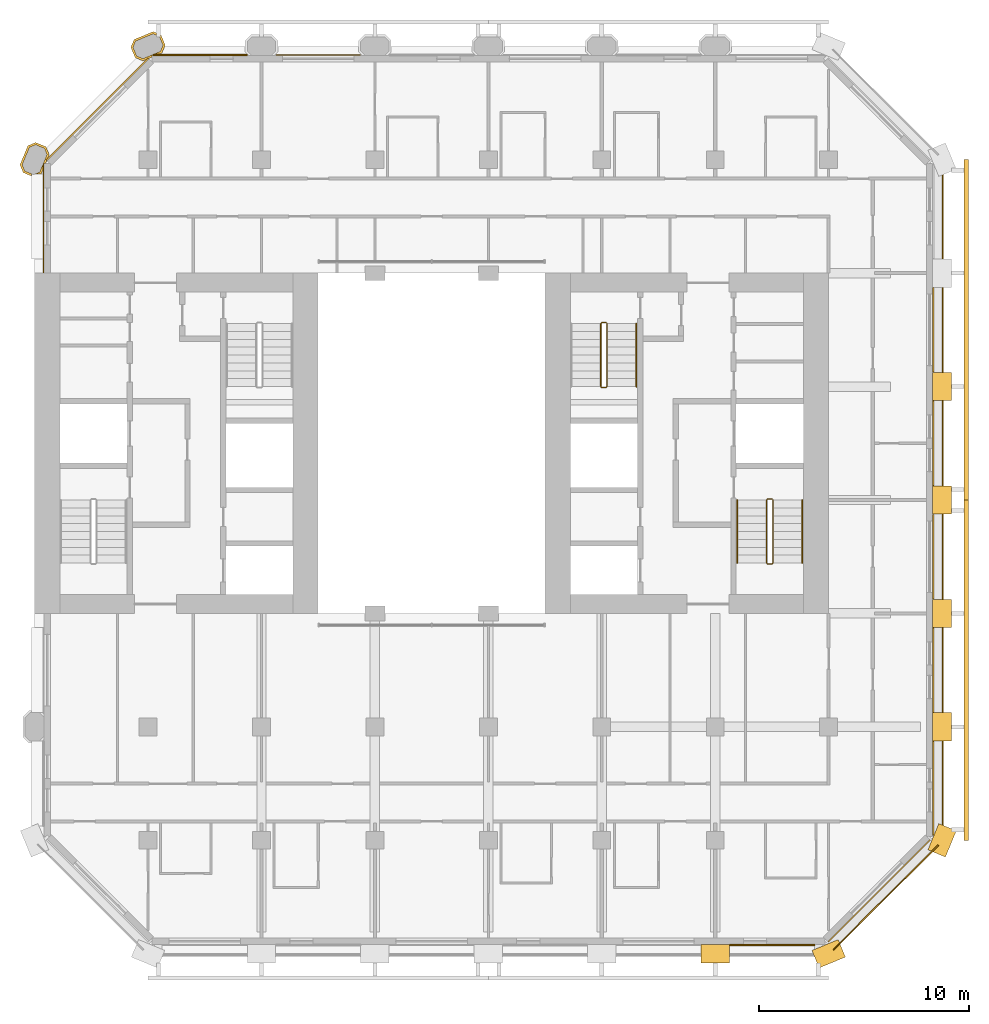
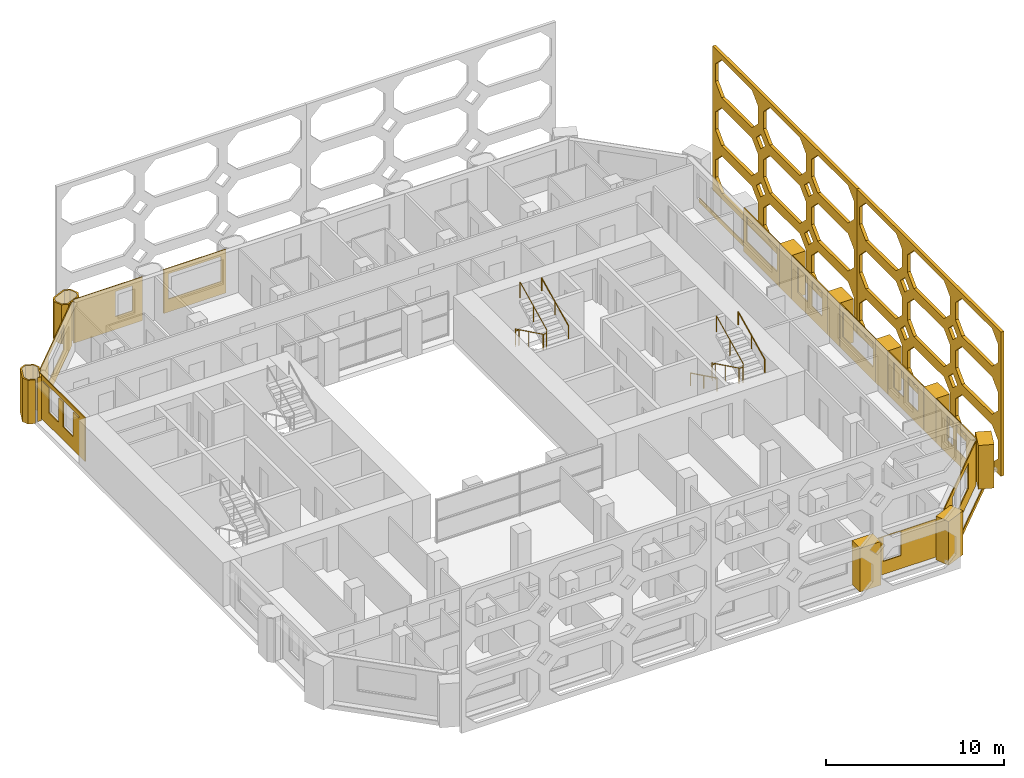
# One storey, part 13 of 14: 24 coverings, 5 railings.
"""IFC4 building model written with IfcOpenShell, lengths in metres."""

from ifc_helpers import new_model, si_unit, direction, frame, frame_2d, origin, origin_2d, place, context, subcontext, project, spatial, polyline, rectangle, circle, outline, extrude, material, layer, layer_set, type_object, element, save


model = new_model("IFC4")

# Units and contexts
model_context = context("Model", 3, precision=1e-05, world=origin(), true_north=direction((0.0, 1.0)))
body_context = subcontext(model_context, "Body", "Model", "MODEL_VIEW")
ifc_project = project(units=[si_unit("LENGTHUNIT", "METRE"), si_unit("AREAUNIT", "SQUARE_METRE"), si_unit("VOLUMEUNIT", "CUBIC_METRE"), si_unit("PLANEANGLEUNIT", "RADIAN"), si_unit("MASSUNIT", "GRAM", prefix="KILO")], contexts=[model_context])

# Site, building, storey
site_placement = place(None, origin())
site = spatial("IfcSite", under=ifc_project, at=site_placement, CompositionType="ELEMENT")
building_placement = place(site_placement, origin())
building = spatial("IfcBuilding", under=site, at=building_placement, Name="Tabaq Tower and Sports Hall", CompositionType="ELEMENT")
storey_placement = place(building_placement, frame((0.0, 0.0, 166.0)))
storey = spatial("IfcBuildingStorey", under=building, at=storey_placement, Name="L39", CompositionType="ELEMENT", Elevation=166.0)

# Coverings
ifc_material_1 = material(Name="Precast concrete C60/75", Category="concrete")
ifc_layer_1 = layer(ifc_material_1, 0.10009765625)
ifc_layer_set_1 = layer_set([ifc_layer_1], Name="Column cladding 100")
covering_type_1 = type_object("IfcCoveringType", Name="Column cladding 100", PredefinedType="CLADDING", material=ifc_layer_set_1)
covering_1_placement = place(storey_placement, origin())
element("IfcCovering", 1, at=covering_1_placement, inside=storey, type_object=covering_type_1, Name="Column cladding L39 PC-2H-H1", PredefinedType="CLADDING", context=body_context, shape_type="SweptSolid", body=[
    extrude(outline(polyline([(4.857421875, 37.186279296875), (4.7041015625, 37.556396484375), (5.080078125, 38.46435546875), (5.450439453125, 38.61767578125), (5.9423828125, 38.413818359375), (6.095947265625, 38.04345703125), (6.026123046875, 37.875), (5.9501953125, 37.799072265625), (5.9814453125, 37.767578125), (5.91796875, 37.614013671875), (5.849609375, 37.614013671875), (5.849609375, 37.55712890625), (5.789794921875, 37.55712890625), (5.789794921875, 37.304443359375), (5.7197265625, 37.1357421875), (5.694580078125, 37.125244140625), (5.434814453125, 37.125244140625), (5.643798828125, 37.2119140625), (5.98828125, 38.04345703125), (5.866455078125, 38.337646484375), (5.450439453125, 38.510009765625), (5.15625, 38.38818359375), (4.811767578125, 37.556396484375), (4.93359375, 37.26220703125), (5.26416015625, 37.125244140625), (5.249755859375, 37.125244140625), (5.249755859375, 37.023681640625), (4.857421875, 37.186279296875)])), origin(), (0.0, 0.0, 1.0), 3.0),
])
covering_2_placement = place(storey_placement, frame((0.0, 0.0, 0.300048828125)))
element("IfcCovering", 2, at=covering_2_placement, inside=storey, type_object=covering_type_1, Name="Column cladding L39 PC-3I-H1", PredefinedType="CLADDING", context=body_context, shape_type="SweptSolid", body=[
    extrude(outline(polyline([(9.982421875, 43.149658203125), (10.1357421875, 43.519775390625), (11.04345703125, 43.895751953125), (11.413818359375, 43.742431640625), (11.61767578125, 43.25048828125), (11.46435546875, 42.880126953125), (11.295654296875, 42.810302734375), (11.04296875, 42.810302734375), (11.04296875, 42.750244140625), (10.986083984375, 42.750244140625), (10.986083984375, 42.68212890625), (10.83251953125, 42.618408203125), (10.801025390625, 42.64990234375), (10.72509765625, 42.573974609375), (10.556396484375, 42.504150390625), (10.186279296875, 42.657470703125), (9.982421875, 43.149658203125)]), holes=[polyline([(11.510009765625, 43.25048828125), (11.337646484375, 43.66650390625), (11.04345703125, 43.788330078125), (10.2119140625, 43.44384765625), (10.08984375, 43.149658203125), (10.26220703125, 42.733642578125), (10.556396484375, 42.61181640625), (11.38818359375, 42.956298828125), (11.510009765625, 43.25048828125)])]), origin(), (0.0, 0.0, 1.0), 2.699951171875),
])
ifc_material_2 = material(Name="Precast concrete C60/75", Category="concrete")
ifc_layer_2 = layer(ifc_material_2, 0.06005859375)
ifc_layer_set_2 = layer_set([ifc_layer_2], Name="Edge beam cladding 60")
covering_type_2 = type_object("IfcCoveringType", Name="Edge beam cladding 60", PredefinedType="CLADDING", material=ifc_layer_set_2)
covering_3_placement = place(storey_placement, frame((43.432373046875, 0.18994140625, -0.300048828125), z_axis=(0.0, 0.0, 1.0), x_axis=(0.707106781187, 0.707106781187, 0.0)))
element("IfcCovering", 3, at=covering_3_placement, inside=storey, type_object=covering_type_2, Name="Edge beam cladding L39 2", PredefinedType="CLADDING", context=body_context, shape_type="SweptSolid", body=[
    extrude(rectangle(XDim=7.03955078125, YDim=0.06005859375, at=frame_2d((3.519775390625, 0.0))), origin(), (0.0, 0.0, 1.0), 0.300048828125),
])
covering_4_placement = place(storey_placement, frame((48.6298828125, 5.698486328125, -0.300048828125), z_axis=(0.0, 0.0, 1.0), x_axis=(0.0, 1.0, 0.0)))
element("IfcCovering", 4, at=covering_4_placement, inside=storey, type_object=covering_type_2, Name="Edge beam cladding L39 3", PredefinedType="CLADDING", context=body_context, shape_type="SweptSolid", body=[
    extrude(rectangle(XDim=31.802978515625, YDim=0.06005859375, at=frame_2d((15.9013671875, 0.0))), origin(), (0.0, 0.0, 1.0), 0.300048828125),
])
ifc_material_3 = material(Name="White precast concrete C60/75", Category="concrete")
covering_type_3 = type_object("IfcCoveringType", Name="Pier cladding hung 1350x900", PredefinedType="CLADDING", material=ifc_material_3)
for number, where, z_axis, x_axis, name in (
    (5, (37.125, 0.0, 0.0), (0.0, 0.0, 1.0), (1.0, 0.0, 0.0), "Hung pier cladding 7/0"),
    (6, (42.576416015625, -0.25830078125, 0.0), (0.0, 0.0, 1.0), (0.923893411637, 0.382649923473, 0.0), "Hung pier cladding 8/0"),
    (7, (48.341796875, 4.7763671875, 0.0), (0.0, 0.0, 1.0), (0.382649923473, 0.923893411637, 0.0), "Hung pier cladding 9/1"),
    (8, (48.60009765625, 10.125, 0.0), (0.0, 0.0, 1.0), (0.0, 1.0, 0.0), "Hung pier cladding 9/2"),
    (9, (48.60009765625, 15.52490234375, 0.0), (0.0, 0.0, 1.0), (0.0, 1.0, 0.0), "Hung pier cladding 9/3"),
):
    element("IfcCovering", number, at=place(storey_placement, frame(where, z_axis=z_axis, x_axis=x_axis)), inside=storey, type_object=covering_type_3, Name=name, PredefinedType="CLADDING", context=body_context, shape_type="SweptSolid", body=[
        extrude(rectangle(XDim=1.35009765625, YDim=0.89990234375, at=frame_2d((0.675048828125, 0.0))), origin(), (0.0, 0.0, 1.0), 3.0),
    ])
covering_5_placement = place(storey_placement, frame((48.60009765625, 20.925048828125, 0.0), z_axis=(0.0, 0.0, 1.0), x_axis=(0.0, 1.0, 0.0)))
element("IfcCovering", 10, at=covering_5_placement, inside=storey, type_object=covering_type_3, Name="Hung pier cladding 9/4", PredefinedType="CLADDING", context=body_context, shape_type="SweptSolid", body=[
    extrude(rectangle(XDim=1.349853515625, YDim=0.89990234375, at=frame_2d((0.6748046875, 0.0))), origin(), (0.0, 0.0, 1.0), 3.0),
])
covering_6_placement = place(storey_placement, frame((48.60009765625, 26.324951171875, 0.0), z_axis=(0.0, 0.0, 1.0), x_axis=(0.0, 1.0, 0.0)))
element("IfcCovering", 11, at=covering_6_placement, inside=storey, type_object=covering_type_3, Name="Hung pier cladding 9/5", PredefinedType="CLADDING", context=body_context, shape_type="SweptSolid", body=[
    extrude(rectangle(XDim=1.35009765625, YDim=0.89990234375, at=frame_2d((0.675048828125, 0.0))), origin(), (0.0, 0.0, 1.0), 3.0),
])

# Railings
ifc_material_4 = material(Name="Stainless steel", Category="steel")
railing_type_1 = type_object("IfcRailingType", Name="Stair guard", PredefinedType="GUARDRAIL", material=ifc_material_4)
railing_1_placement = place(storey_placement, frame((40.5, 21.64990234375, 0.0)))
element("IfcRailing", 12, at=railing_1_placement, inside=storey, type_object=railing_type_1, Name="L39 ST3 stair guard 1", PredefinedType="GUARDRAIL", context=body_context, shape_type="SweptSolid", body=[
    extrude(circle(Radius=0.02392578125, at=origin_2d()), frame((0.0, 0.0, 1.076171875), z_axis=(-1.0, 0.0, 0.0), x_axis=(0.0, -1.0, 0.0)), (0.0, 0.0, 1.0), 0.199951171875),
    extrude(circle(Radius=0.02392578125, at=origin_2d()), frame((-0.199951171875, 0.0, 1.076171875), z_axis=(-0.254733673405, -0.25349107012, 0.933195066962), x_axis=(0.705375805398, -0.708833529934, 0.0)), (0.0, 0.0, 1.0), 0.196533203125),
    extrude(circle(Radius=0.02392578125, at=origin_2d()), frame((-0.25, -0.0498046875, 1.25927734375), z_axis=(0.0, -0.898397823093, 0.439182594671), x_axis=(1.0, 0.0, 0.0)), (0.0, 0.0, 1.0), 3.33935546875),
    extrude(circle(Radius=0.02392578125, at=origin_2d()), frame((-0.25, -3.0498046875, 2.72607421875), z_axis=(0.707106781187, -0.707106781187, 0.0), x_axis=(0.707106781187, 0.707106781187, 0.0)), (0.0, 0.0, 1.0), 0.07080078125),
    extrude(circle(Radius=0.02392578125, at=origin_2d()), frame((-0.199951171875, -3.099853515625, 2.72607421875), z_axis=(1.0, 0.0, 0.0), x_axis=(0.0, 1.0, 0.0)), (0.0, 0.0, 1.0), 0.199951171875),
    extrude(circle(Radius=0.02392578125, at=origin_2d()), frame((0.0, -3.099853515625, 2.72607421875), z_axis=(0.254653276557, 0.254653276557, 0.932900539971), x_axis=(-0.707106781187, 0.707106781187, 0.0)), (0.0, 0.0, 1.0), 0.196533203125),
    extrude(circle(Radius=0.02392578125, at=origin_2d()), frame((0.050048828125, -3.0498046875, 2.9091796875), z_axis=(0.0, 0.898368975038, 0.439241601728), x_axis=(-1.0, 0.0, 0.0)), (0.0, 0.0, 1.0), 3.33935546875),
    extrude(circle(Radius=0.02099609375, at=origin_2d()), origin(), (0.0, 0.0, 1.0), 1.052001953125),
    extrude(circle(Radius=0.02099609375, at=origin_2d()), frame((-0.199951171875, 0.0, 0.0)), (0.0, 0.0, 1.0), 1.052001953125),
    extrude(circle(Radius=0.02099609375, at=origin_2d()), frame((-0.25, -0.0498046875, 0.183349609375)), (0.0, 0.0, 1.0), 1.052001953125),
    extrude(circle(Radius=0.02099609375, at=origin_2d()), frame((-0.25, -1.5498046875, 0.91650390625)), (0.0, 0.0, 1.0), 1.052001953125),
    extrude(circle(Radius=0.02099609375, at=origin_2d()), frame((-0.25, -3.0498046875, 1.64990234375)), (0.0, 0.0, 1.0), 1.052001953125),
    extrude(circle(Radius=0.02099609375, at=origin_2d()), frame((-0.199951171875, -3.099853515625, 1.64990234375)), (0.0, 0.0, 1.0), 1.052001953125),
    extrude(circle(Radius=0.02099609375, at=origin_2d()), frame((0.0, -3.099853515625, 1.64990234375)), (0.0, 0.0, 1.0), 1.052001953125),
    extrude(circle(Radius=0.02099609375, at=origin_2d()), frame((0.050048828125, -3.0498046875, 1.833251953125)), (0.0, 0.0, 1.0), 1.052001953125),
    extrude(circle(Radius=0.02099609375, at=origin_2d()), frame((0.050048828125, -1.5498046875, 2.566650390625)), (0.0, 0.0, 1.0), 1.052001953125),
    extrude(circle(Radius=0.02099609375, at=origin_2d()), frame((0.050048828125, -0.0498046875, 3.300048828125)), (0.0, 0.0, 1.0), 1.052001953125),
])
railing_2_placement = place(storey_placement, frame((32.60009765625, 30.050048828125, 0.0)))
element("IfcRailing", 13, at=railing_2_placement, inside=storey, type_object=railing_type_1, Name="L39 ST4 stair guard 1", PredefinedType="GUARDRAIL", context=body_context, shape_type="SweptSolid", body=[
    extrude(circle(Radius=0.02392578125, at=origin_2d()), frame((0.0, 0.0, 1.076171875), z_axis=(-1.0, 0.0, 0.0), x_axis=(0.0, -1.0, 0.0)), (0.0, 0.0, 1.0), 0.2001953125),
    extrude(circle(Radius=0.02392578125, at=origin_2d()), frame((-0.2001953125, 0.0, 1.076171875), z_axis=(-0.25349107012, -0.254733673405, 0.933195066962), x_axis=(0.708833529934, -0.705375805398, 0.0)), (0.0, 0.0, 1.0), 0.196533203125),
    extrude(circle(Radius=0.02392578125, at=origin_2d()), frame((-0.25, -0.050048828125, 1.25927734375), z_axis=(0.0, -0.898397823093, 0.439182594671), x_axis=(1.0, 0.0, 0.0)), (0.0, 0.0, 1.0), 3.33935546875),
    extrude(circle(Radius=0.02392578125, at=origin_2d()), frame((-0.25, -3.050048828125, 2.72607421875), z_axis=(0.705375805398, -0.708833529934, 0.0), x_axis=(0.708833529934, 0.705375805398, 0.0)), (0.0, 0.0, 1.0), 0.070556640625),
    extrude(circle(Radius=0.02392578125, at=origin_2d()), frame((-0.2001953125, -3.10009765625, 2.72607421875), z_axis=(1.0, 0.0, 0.0), x_axis=(0.0, 1.0, 0.0)), (0.0, 0.0, 1.0), 0.2001953125),
    extrude(circle(Radius=0.02392578125, at=origin_2d()), frame((0.0, -3.10009765625, 2.72607421875), z_axis=(0.25349107012, 0.254733673405, 0.933195066962), x_axis=(-0.708833529934, 0.705375805398, 0.0)), (0.0, 0.0, 1.0), 0.196533203125),
    extrude(circle(Radius=0.02392578125, at=origin_2d()), frame((0.0498046875, -3.050048828125, 2.9091796875), z_axis=(0.0, 0.898368975038, 0.439241601728), x_axis=(-1.0, 0.0, 0.0)), (0.0, 0.0, 1.0), 3.33935546875),
    extrude(circle(Radius=0.02099609375, at=origin_2d()), origin(), (0.0, 0.0, 1.0), 1.052001953125),
    extrude(circle(Radius=0.02099609375, at=origin_2d()), frame((-0.2001953125, 0.0, 0.0)), (0.0, 0.0, 1.0), 1.052001953125),
    extrude(circle(Radius=0.02099609375, at=origin_2d()), frame((-0.25, -0.050048828125, 0.183349609375)), (0.0, 0.0, 1.0), 1.052001953125),
    extrude(circle(Radius=0.02099609375, at=origin_2d()), frame((-0.25, -1.550048828125, 0.91650390625)), (0.0, 0.0, 1.0), 1.052001953125),
    extrude(circle(Radius=0.02099609375, at=origin_2d()), frame((-0.25, -3.050048828125, 1.64990234375)), (0.0, 0.0, 1.0), 1.052001953125),
    extrude(circle(Radius=0.02099609375, at=origin_2d()), frame((-0.2001953125, -3.10009765625, 1.64990234375)), (0.0, 0.0, 1.0), 1.052001953125),
    extrude(circle(Radius=0.02099609375, at=origin_2d()), frame((0.0, -3.10009765625, 1.64990234375)), (0.0, 0.0, 1.0), 1.052001953125),
    extrude(circle(Radius=0.02099609375, at=origin_2d()), frame((0.0498046875, -3.050048828125, 1.833251953125)), (0.0, 0.0, 1.0), 1.052001953125),
    extrude(circle(Radius=0.02099609375, at=origin_2d()), frame((0.0498046875, -1.550048828125, 2.566650390625)), (0.0, 0.0, 1.0), 1.052001953125),
    extrude(circle(Radius=0.02099609375, at=origin_2d()), frame((0.0498046875, -0.050048828125, 3.300048828125)), (0.0, 0.0, 1.0), 1.052001953125),
])
ifc_material_5 = material(Name="Stainless steel", Category="steel")
railing_type_2 = type_object("IfcRailingType", Name="Stair handrail", PredefinedType="HANDRAIL", material=ifc_material_5)
railing_3_placement = place(storey_placement, frame((38.85009765625, 21.60009765625, 0.183349609375)))
element("IfcRailing", 14, at=railing_3_placement, inside=storey, type_object=railing_type_2, Name="L39 ST3 stair handrail 1", PredefinedType="HANDRAIL", context=body_context, shape_type="SweptSolid", body=[
    extrude(circle(Radius=0.02392578125, at=origin_2d()), frame((0.0, 0.0, 0.8759765625), z_axis=(0.0, -0.898397823093, 0.439182594671), x_axis=(1.0, 0.0, 0.0)), (0.0, 0.0, 1.0), 3.33935546875),
    extrude(circle(Radius=0.02099609375, at=origin_2d()), origin(), (0.0, 0.0, 1.0), 0.851806640625),
    extrude(circle(Radius=0.02099609375, at=origin_2d()), frame((0.0, -1.5, 0.7333984375)), (0.0, 0.0, 1.0), 0.851806640625),
    extrude(circle(Radius=0.02099609375, at=origin_2d()), frame((0.0, -3.0, 1.466552734375)), (0.0, 0.0, 1.0), 0.851806640625),
])
for number, where, name in (
    (15, (41.949951171875, 18.60009765625, 1.833251953125), "L39 ST3 stair handrail 2"),
    (16, (34.050048828125, 27.0, 1.833251953125), "L39 ST4 stair handrail 2"),
):
    element("IfcRailing", number, at=place(storey_placement, frame(where)), inside=storey, type_object=railing_type_2, Name=name, PredefinedType="HANDRAIL", context=body_context, shape_type="SweptSolid", body=[
        extrude(circle(Radius=0.02392578125, at=origin_2d()), frame((0.0, 0.0, 0.8759765625), z_axis=(0.0, 0.898368975038, 0.439241601728), x_axis=(-1.0, 0.0, 0.0)), (0.0, 0.0, 1.0), 3.33935546875),
        extrude(circle(Radius=0.02099609375, at=origin_2d()), origin(), (0.0, 0.0, 1.0), 0.851806640625),
        extrude(circle(Radius=0.02099609375, at=origin_2d()), frame((0.0, 1.5, 0.7333984375)), (0.0, 0.0, 1.0), 0.851806640625),
        extrude(circle(Radius=0.02099609375, at=origin_2d()), frame((0.0, 3.0, 1.466796875)), (0.0, 0.0, 1.0), 0.851806640625),
    ])

# Coverings
ifc_material_6 = material(Name="White precast concrete C60/75 pierced screen", Category="concrete")
ifc_layer_3 = layer(ifc_material_6, 0.199951171875)
ifc_layer_set_3 = layer_set([ifc_layer_3], Name="TRACERY SCREEN 200 C60/75")
covering_type_4 = type_object("IfcCoveringType", Name="TRACERY SCREEN 200 C60/75", PredefinedType="CLADDING", material=ifc_layer_set_3)
covering_7_placement = place(storey_placement, frame((49.75, 5.39990234375, 0.0), z_axis=(0.0, 0.0, 1.0), x_axis=(0.0, 1.0, 0.0)))
element("IfcCovering", 17, at=covering_7_placement, inside=storey, type_object=covering_type_4, Name="Tracery screen H1 E L39-L41", PredefinedType="CLADDING", context=body_context, shape_type="SweptSolid", body=[
    extrude(outline(polyline([(0.0, 0.0), (16.2001953125, 0.0), (16.2001953125, 9.89990234375), (0.0, 9.89990234375), (0.0, 0.0)]), holes=[polyline([(1.0, 0.35009765625), (4.39990234375, 0.35009765625), (5.10009765625, 1.050048828125), (5.10009765625, 2.25), (4.39990234375, 2.949951171875), (1.0, 2.949951171875), (0.300048828125, 2.25), (0.300048828125, 1.050048828125), (1.0, 0.35009765625)]), polyline([(6.39990234375, 0.35009765625), (9.800048828125, 0.35009765625), (10.5, 1.050048828125), (10.5, 2.25), (9.800048828125, 2.949951171875), (6.39990234375, 2.949951171875), (5.699951171875, 2.25), (5.699951171875, 1.050048828125), (6.39990234375, 0.35009765625)]), polyline([(11.800048828125, 0.35009765625), (15.199951171875, 0.35009765625), (15.89990234375, 1.050048828125), (15.89990234375, 2.25), (15.199951171875, 2.949951171875), (11.800048828125, 2.949951171875), (11.10009765625, 2.25), (11.10009765625, 1.050048828125), (11.800048828125, 0.35009765625)]), polyline([(1.0, 3.64990234375), (4.39990234375, 3.64990234375), (5.10009765625, 4.35009765625), (5.10009765625, 5.550048828125), (4.39990234375, 6.25), (1.0, 6.25), (0.300048828125, 5.550048828125), (0.300048828125, 4.35009765625), (1.0, 3.64990234375)]), polyline([(6.39990234375, 3.64990234375), (9.800048828125, 3.64990234375), (10.5, 4.35009765625), (10.5, 5.550048828125), (9.800048828125, 6.25), (6.39990234375, 6.25), (5.699951171875, 5.550048828125), (5.699951171875, 4.35009765625), (6.39990234375, 3.64990234375)]), polyline([(11.800048828125, 3.64990234375), (15.199951171875, 3.64990234375), (15.89990234375, 4.35009765625), (15.89990234375, 5.550048828125), (15.199951171875, 6.25), (11.800048828125, 6.25), (11.10009765625, 5.550048828125), (11.10009765625, 4.35009765625), (11.800048828125, 3.64990234375)]), polyline([(1.0, 6.949951171875), (4.39990234375, 6.949951171875), (5.10009765625, 7.64990234375), (5.10009765625, 8.85009765625), (4.39990234375, 9.550048828125), (1.0, 9.550048828125), (0.300048828125, 8.85009765625), (0.300048828125, 7.64990234375), (1.0, 6.949951171875)]), polyline([(6.39990234375, 6.949951171875), (9.800048828125, 6.949951171875), (10.5, 7.64990234375), (10.5, 8.85009765625), (9.800048828125, 9.550048828125), (6.39990234375, 9.550048828125), (5.699951171875, 8.85009765625), (5.699951171875, 7.64990234375), (6.39990234375, 6.949951171875)]), polyline([(11.800048828125, 6.949951171875), (15.199951171875, 6.949951171875), (15.89990234375, 7.64990234375), (15.89990234375, 8.85009765625), (15.199951171875, 9.550048828125), (11.800048828125, 9.550048828125), (11.10009765625, 8.85009765625), (11.10009765625, 7.64990234375), (11.800048828125, 6.949951171875)]), polyline([(5.89990234375, 3.300048828125), (5.39990234375, 3.800048828125), (4.89990234375, 3.300048828125), (5.39990234375, 2.800048828125), (5.89990234375, 3.300048828125)]), polyline([(11.300048828125, 3.300048828125), (10.800048828125, 3.800048828125), (10.300048828125, 3.300048828125), (10.800048828125, 2.800048828125), (11.300048828125, 3.300048828125)]), polyline([(5.89990234375, 6.60009765625), (5.39990234375, 7.10009765625), (4.89990234375, 6.60009765625), (5.39990234375, 6.10009765625), (5.89990234375, 6.60009765625)]), polyline([(11.300048828125, 6.60009765625), (10.800048828125, 7.10009765625), (10.300048828125, 6.60009765625), (10.800048828125, 6.10009765625), (11.300048828125, 6.60009765625)])]), frame((0.0, 0.10009765625, 0.0), z_axis=(0.0, -1.0, 0.0), x_axis=(1.0, 0.0, 0.0)), (0.0, 0.0, 1.0), 0.199951171875),
])
covering_8_placement = place(storey_placement, frame((49.75, 21.60009765625, 0.0), z_axis=(0.0, 0.0, 1.0), x_axis=(0.0, 1.0, 0.0)))
element("IfcCovering", 18, at=covering_8_placement, inside=storey, type_object=covering_type_4, Name="Tracery screen H1 E L39-L41", PredefinedType="CLADDING", context=body_context, shape_type="SweptSolid", body=[
    extrude(outline(polyline([(0.0, 0.0), (16.199951171875, 0.0), (16.199951171875, 9.89990234375), (0.0, 9.89990234375), (0.0, 0.0)]), holes=[polyline([(1.0, 0.35009765625), (4.39990234375, 0.35009765625), (5.10009765625, 1.050048828125), (5.10009765625, 2.25), (4.39990234375, 2.949951171875), (1.0, 2.949951171875), (0.300048828125, 2.25), (0.300048828125, 1.050048828125), (1.0, 0.35009765625)]), polyline([(6.39990234375, 0.35009765625), (9.800048828125, 0.35009765625), (10.5, 1.050048828125), (10.5, 2.25), (9.800048828125, 2.949951171875), (6.39990234375, 2.949951171875), (5.699951171875, 2.25), (5.699951171875, 1.050048828125), (6.39990234375, 0.35009765625)]), polyline([(11.800048828125, 0.35009765625), (15.199951171875, 0.35009765625), (15.89990234375, 1.050048828125), (15.89990234375, 2.25), (15.199951171875, 2.949951171875), (11.800048828125, 2.949951171875), (11.10009765625, 2.25), (11.10009765625, 1.050048828125), (11.800048828125, 0.35009765625)]), polyline([(1.0, 3.64990234375), (4.39990234375, 3.64990234375), (5.10009765625, 4.35009765625), (5.10009765625, 5.550048828125), (4.39990234375, 6.25), (1.0, 6.25), (0.300048828125, 5.550048828125), (0.300048828125, 4.35009765625), (1.0, 3.64990234375)]), polyline([(6.39990234375, 3.64990234375), (9.800048828125, 3.64990234375), (10.5, 4.35009765625), (10.5, 5.550048828125), (9.800048828125, 6.25), (6.39990234375, 6.25), (5.699951171875, 5.550048828125), (5.699951171875, 4.35009765625), (6.39990234375, 3.64990234375)]), polyline([(11.800048828125, 3.64990234375), (15.199951171875, 3.64990234375), (15.89990234375, 4.35009765625), (15.89990234375, 5.550048828125), (15.199951171875, 6.25), (11.800048828125, 6.25), (11.10009765625, 5.550048828125), (11.10009765625, 4.35009765625), (11.800048828125, 3.64990234375)]), polyline([(1.0, 6.949951171875), (4.39990234375, 6.949951171875), (5.10009765625, 7.64990234375), (5.10009765625, 8.85009765625), (4.39990234375, 9.550048828125), (1.0, 9.550048828125), (0.300048828125, 8.85009765625), (0.300048828125, 7.64990234375), (1.0, 6.949951171875)]), polyline([(6.39990234375, 6.949951171875), (9.800048828125, 6.949951171875), (10.5, 7.64990234375), (10.5, 8.85009765625), (9.800048828125, 9.550048828125), (6.39990234375, 9.550048828125), (5.699951171875, 8.85009765625), (5.699951171875, 7.64990234375), (6.39990234375, 6.949951171875)]), polyline([(11.800048828125, 6.949951171875), (15.199951171875, 6.949951171875), (15.89990234375, 7.64990234375), (15.89990234375, 8.85009765625), (15.199951171875, 9.550048828125), (11.800048828125, 9.550048828125), (11.10009765625, 8.85009765625), (11.10009765625, 7.64990234375), (11.800048828125, 6.949951171875)]), polyline([(5.89990234375, 3.300048828125), (5.39990234375, 3.800048828125), (4.89990234375, 3.300048828125), (5.39990234375, 2.800048828125), (5.89990234375, 3.300048828125)]), polyline([(11.300048828125, 3.300048828125), (10.800048828125, 3.800048828125), (10.300048828125, 3.300048828125), (10.800048828125, 2.800048828125), (11.300048828125, 3.300048828125)]), polyline([(5.89990234375, 6.60009765625), (5.39990234375, 7.10009765625), (4.89990234375, 6.60009765625), (5.39990234375, 6.10009765625), (5.89990234375, 6.60009765625)]), polyline([(11.300048828125, 6.60009765625), (10.800048828125, 7.10009765625), (10.300048828125, 6.60009765625), (10.800048828125, 6.10009765625), (11.300048828125, 6.60009765625)])]), frame((0.0, 0.10009765625, 0.0), z_axis=(0.0, -1.0, 0.0), x_axis=(1.0, 0.0, 0.0)), (0.0, 0.0, 1.0), 0.199951171875),
])
ifc_material_7 = material(Name="Precast concrete C60/75", Category="concrete")
ifc_layer_4 = layer(ifc_material_7, 0.06005859375)
ifc_layer_set_4 = layer_set([ifc_layer_4], Name="White precast cladding panel 60 C60/75")
covering_type_5 = type_object("IfcCoveringType", Name="White precast cladding panel 60 C60/75", PredefinedType="CLADDING", material=ifc_layer_set_4)
covering_9_placement = place(storey_placement, frame((38.485107421875, 0.419921875, 0.0), z_axis=(0.0, 0.0, 1.0), x_axis=(1.0, 0.0, 0.0)))
element("IfcCovering", 19, at=covering_9_placement, inside=storey, type_object=covering_type_5, Name="White precast cladding panel L39 wall00 6", PredefinedType="CLADDING", context=body_context, shape_type="SweptSolid", body=[
    extrude(outline(polyline([(0.0, 0.0), (4.0498046875, 0.0), (4.0498046875, 2.590087890625), (0.0, 2.590087890625), (0.0, 0.0)]), holes=[polyline([(1.77490234375, 0.889892578125), (0.655029296875, 0.889892578125), (0.655029296875, 2.56005859375), (1.77490234375, 2.56005859375), (1.77490234375, 0.889892578125)])]), frame((0.0, 0.030029296875, 0.0), z_axis=(0.0, -1.0, 0.0), x_axis=(1.0, 0.0, 0.0)), (0.0, 0.0, 1.0), 0.06005859375),
])
covering_10_placement = place(storey_placement, frame((43.177734375, 0.57177734375, 0.0), z_axis=(0.0, 0.0, 1.0), x_axis=(0.707106781187, 0.707106781187, 0.0)))
element("IfcCovering", 20, at=covering_10_placement, inside=storey, type_object=covering_type_5, Name="White precast cladding panel L39 wall01", PredefinedType="CLADDING", context=body_context, shape_type="SweptSolid", body=[
    extrude(outline(polyline([(0.0, 0.0), (6.85986328125, 0.0), (6.85986328125, 3.0), (0.0, 3.0), (0.0, 0.0)]), holes=[polyline([(1.7197265625, 0.889892578125), (1.7197265625, 2.610107421875), (5.139892578125, 2.610107421875), (5.139892578125, 0.889892578125), (1.7197265625, 0.889892578125)])]), frame((0.0, 0.030029296875, 0.0), z_axis=(0.0, -1.0, 0.0), x_axis=(1.0, 0.0, 0.0)), (0.0, 0.0, 1.0), 0.06005859375),
])
covering_11_placement = place(storey_placement, frame((48.179931640625, 5.64306640625, 0.0), z_axis=(0.0, 0.0, 1.0), x_axis=(0.0, 1.0, 0.0)))
element("IfcCovering", 21, at=covering_11_placement, inside=storey, type_object=covering_type_5, Name="White precast cladding panel L39 wall02", PredefinedType="CLADDING", context=body_context, shape_type="SweptSolid", body=[
    extrude(outline(polyline([(0.0, 0.0), (4.471923828125, 0.0), (4.471923828125, 3.0), (0.0, 3.0), (0.0, 0.0)]), holes=[polyline([(1.096923828125, 2.610107421875), (2.216796875, 2.610107421875), (2.216796875, 0.889892578125), (1.096923828125, 0.889892578125), (1.096923828125, 2.610107421875)]), polyline([(2.521728515625, 2.610107421875), (3.19189453125, 2.610107421875), (3.19189453125, 0.889892578125), (2.521728515625, 0.889892578125), (2.521728515625, 2.610107421875)])]), frame((0.0, 0.030029296875, 0.0), z_axis=(0.0, -1.0, 0.0), x_axis=(1.0, 0.0, 0.0)), (0.0, 0.0, 1.0), 0.06005859375),
])
covering_12_placement = place(storey_placement, frame((48.179931640625, 11.485107421875, 0.0), z_axis=(0.0, 0.0, 1.0), x_axis=(0.0, 1.0, 0.0)))
element("IfcCovering", 22, at=covering_12_placement, inside=storey, type_object=covering_type_5, Name="White precast cladding panel L39 wall02 2", PredefinedType="CLADDING", context=body_context, shape_type="SweptSolid", body=[
    extrude(outline(polyline([(0.0, 0.0), (4.02978515625, 0.0), (4.02978515625, 3.0), (0.0, 3.0), (0.0, 0.0)]), holes=[polyline([(0.655029296875, 2.610107421875), (1.77490234375, 2.610107421875), (1.77490234375, 0.889892578125), (0.655029296875, 0.889892578125), (0.655029296875, 2.610107421875)]), polyline([(2.2548828125, 2.610107421875), (3.375, 2.610107421875), (3.375, 0.889892578125), (2.2548828125, 0.889892578125), (2.2548828125, 2.610107421875)])]), frame((0.0, 0.030029296875, 0.0), z_axis=(0.0, -1.0, 0.0), x_axis=(1.0, 0.0, 0.0)), (0.0, 0.0, 1.0), 0.06005859375),
])
covering_13_placement = place(storey_placement, frame((48.179931640625, 16.885009765625, 0.0), z_axis=(0.0, 0.0, 1.0), x_axis=(0.0, 1.0, 0.0)))
element("IfcCovering", 23, at=covering_13_placement, inside=storey, type_object=covering_type_5, Name="White precast cladding panel L39 wall02 3", PredefinedType="CLADDING", context=body_context, shape_type="SweptSolid", body=[
    extrude(outline(polyline([(0.0, 0.0), (4.030029296875, 0.0), (4.030029296875, 3.0), (0.0, 3.0), (0.0, 0.0)]), holes=[polyline([(0.304931640625, 0.889892578125), (0.304931640625, 2.610107421875), (3.72509765625, 2.610107421875), (3.72509765625, 0.889892578125), (0.304931640625, 0.889892578125)])]), frame((0.0, 0.030029296875, 0.0), z_axis=(0.0, -1.0, 0.0), x_axis=(1.0, 0.0, 0.0)), (0.0, 0.0, 1.0), 0.06005859375),
])
covering_14_placement = place(storey_placement, frame((48.179931640625, 22.284912109375, 0.0), z_axis=(0.0, 0.0, 1.0), x_axis=(0.0, 1.0, 0.0)))
element("IfcCovering", 24, at=covering_14_placement, inside=storey, type_object=covering_type_5, Name="White precast cladding panel L39 wall02 4", PredefinedType="CLADDING", context=body_context, shape_type="SweptSolid", body=[
    extrude(outline(polyline([(0.0, 0.0), (4.030029296875, 0.0), (4.030029296875, 3.0), (0.0, 3.0), (0.0, 0.0)]), holes=[polyline([(0.655029296875, 2.610107421875), (1.77490234375, 2.610107421875), (1.77490234375, 0.889892578125), (0.655029296875, 0.889892578125), (0.655029296875, 2.610107421875)]), polyline([(2.2548828125, 2.610107421875), (3.375, 2.610107421875), (3.375, 0.889892578125), (2.2548828125, 0.889892578125), (2.2548828125, 2.610107421875)])]), frame((0.0, 0.030029296875, 0.0), z_axis=(0.0, -1.0, 0.0), x_axis=(1.0, 0.0, 0.0)), (0.0, 0.0, 1.0), 0.06005859375),
])
for number, where, z_axis, x_axis, name in (
    (25, (48.179931640625, 27.68505859375, 0.0), (0.0, 0.0, 1.0), (0.0, 1.0, 0.0), "White precast cladding panel L39 wall02 5"),
    (26, (20.9150390625, 42.780029296875, 0.0), (0.0, 0.0, 1.0), (-1.0, 0.0, 0.0), "White precast cladding panel L39 wall04 5"),
):
    element("IfcCovering", number, at=place(storey_placement, frame(where, z_axis=z_axis, x_axis=x_axis)), inside=storey, type_object=covering_type_5, Name=name, PredefinedType="CLADDING", context=body_context, shape_type="SweptSolid", body=[
        extrude(outline(polyline([(0.0, 0.0), (4.030029296875, 0.0), (4.030029296875, 3.0), (0.0, 3.0), (0.0, 0.0)]), holes=[polyline([(0.304931640625, 0.889892578125), (0.304931640625, 2.610107421875), (3.72509765625, 2.610107421875), (3.72509765625, 0.889892578125), (0.304931640625, 0.889892578125)])]), frame((0.0, 0.030029296875, 0.0), z_axis=(0.0, -1.0, 0.0), x_axis=(1.0, 0.0, 0.0)), (0.0, 0.0, 1.0), 0.06005859375),
    ])
covering_15_placement = place(storey_placement, frame((15.514892578125, 42.780029296875, 0.0), z_axis=(0.0, 0.0, 1.0), x_axis=(-1.0, 0.0, 0.0)))
element("IfcCovering", 27, at=covering_15_placement, inside=storey, type_object=covering_type_5, Name="White precast cladding panel L39 wall04 6", PredefinedType="CLADDING", context=body_context, shape_type="SweptSolid", body=[
    extrude(outline(polyline([(0.0, 0.0), (4.4716796875, 0.0), (4.4716796875, 3.0), (0.0, 3.0), (0.0, 0.0)]), holes=[polyline([(0.655029296875, 0.889892578125), (0.655029296875, 2.610107421875), (1.77490234375, 2.610107421875), (1.77490234375, 0.889892578125), (0.655029296875, 0.889892578125)])]), frame((0.0, 0.030029296875, 0.0), z_axis=(0.0, -1.0, 0.0), x_axis=(1.0, 0.0, 0.0)), (0.0, 0.0, 1.0), 0.06005859375),
])
covering_16_placement = place(storey_placement, frame((10.822265625, 42.628173828125, 0.0), z_axis=(0.0, 0.0, 1.0), x_axis=(-0.707124576528, -0.707088985397, 0.0)))
element("IfcCovering", 28, at=covering_16_placement, inside=storey, type_object=covering_type_5, Name="White precast cladding panel L39 wall05", PredefinedType="CLADDING", context=body_context, shape_type="SweptSolid", body=[
    extrude(outline(polyline([(0.0, 0.0), (6.859619140625, 0.0), (6.859619140625, 3.0), (0.0, 3.0), (0.0, 0.0)]), holes=[polyline([(1.7197265625, 0.889892578125), (1.7197265625, 2.610107421875), (5.139892578125, 2.610107421875), (5.139892578125, 0.889892578125), (1.7197265625, 0.889892578125)])]), frame((0.0, 0.030029296875, 0.0), z_axis=(0.0, -1.0, 0.0), x_axis=(1.0, 0.0, 0.0)), (0.0, 0.0, 1.0), 0.06005859375),
])
covering_17_placement = place(storey_placement, frame((5.820068359375, 37.556884765625, 0.0), z_axis=(0.0, 0.0, 1.0), x_axis=(0.0, -1.0, 0.0)))
element("IfcCovering", 29, at=covering_17_placement, inside=storey, type_object=covering_type_5, Name="White precast cladding panel L39 wall06", PredefinedType="CLADDING", context=body_context, shape_type="SweptSolid", body=[
    extrude(outline(polyline([(0.0, 0.0), (5.156982421875, 0.0), (5.156982421875, 3.0), (0.0, 3.0), (0.0, 0.0)]), holes=[polyline([(1.096923828125, 2.590087890625), (0.421875, 2.590087890625), (0.421875, 2.7099609375), (4.491943359375, 2.7099609375), (4.491943359375, 2.590087890625), (3.81689453125, 2.590087890625), (3.81689453125, 0.889892578125), (2.69677734375, 0.889892578125), (2.69677734375, 2.590087890625), (2.216796875, 2.590087890625), (2.216796875, 0.889892578125), (1.096923828125, 0.889892578125), (1.096923828125, 2.590087890625)])]), frame((0.0, 0.030029296875, 0.0), z_axis=(0.0, -1.0, 0.0), x_axis=(1.0, 0.0, 0.0)), (0.0, 0.0, 1.0), 0.06005859375),
])

save(model, "model.ifc")
